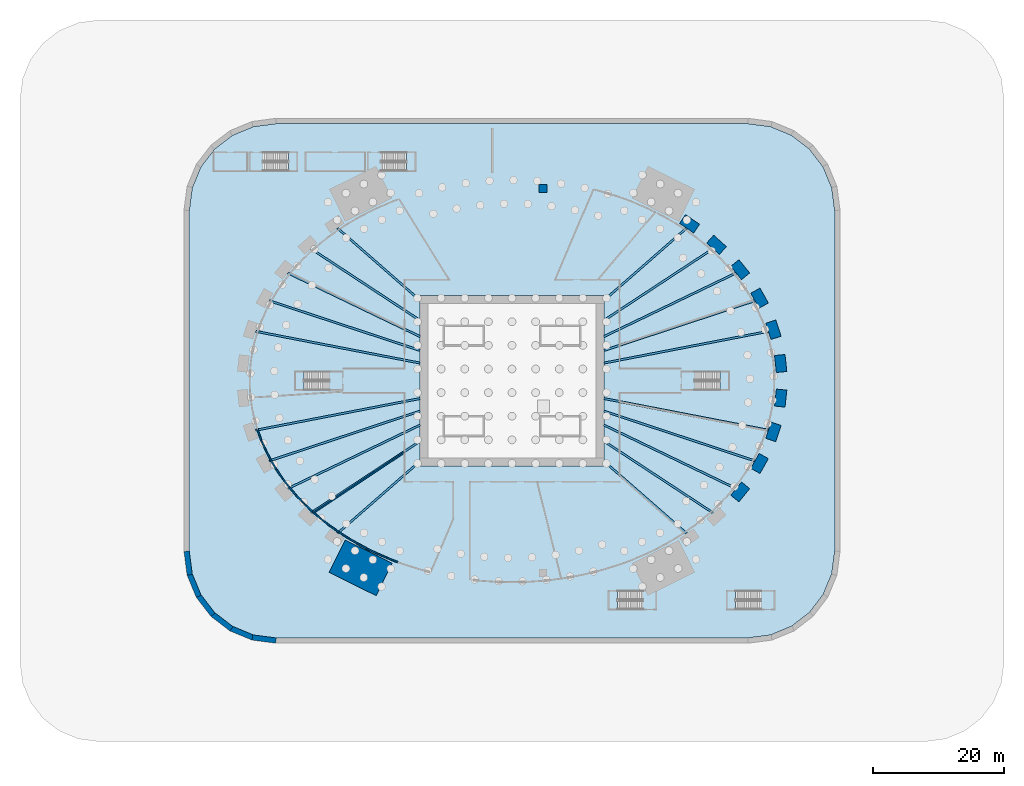
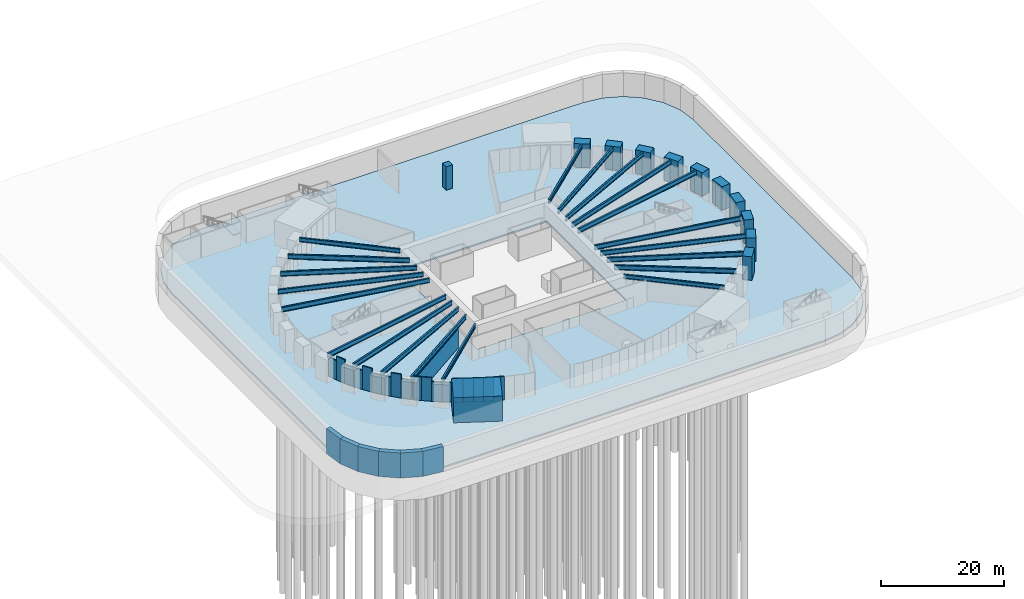
# One storey, part 2 of 14: 26 walls, 20 beams, 11 columns, 7 slabs, 6 elements without a shape of their own.
"""IFC4 building model written with IfcOpenShell, lengths in metres."""

from ifc_helpers import new_model, si_unit, direction, frame, frame_2d, origin, origin_2d, place, context, subcontext, project, spatial, polyline, rectangle, i_section, outline, extrude, source, transform, mapped, material, layer, layer_set, material_profile, profile_set, type_object, element, aggregate, save


model = new_model("IFC4")

# Units and contexts
model_context = context("Model", 3, precision=1e-05, world=origin(), true_north=direction((0.0, 1.0)))
body_context = subcontext(model_context, "Body", "Model", "MODEL_VIEW")
ifc_project = project(units=[si_unit("LENGTHUNIT", "METRE"), si_unit("AREAUNIT", "SQUARE_METRE"), si_unit("VOLUMEUNIT", "CUBIC_METRE"), si_unit("PLANEANGLEUNIT", "RADIAN"), si_unit("MASSUNIT", "GRAM", prefix="KILO")], contexts=[model_context])

# Site, building, storey
site_placement = place(None, origin())
site = spatial("IfcSite", under=ifc_project, at=site_placement, CompositionType="ELEMENT")
building_placement = place(site_placement, origin())
building = spatial("IfcBuilding", under=site, at=building_placement, Name="Embergate Tower", CompositionType="ELEMENT")
storey_placement = place(building_placement, frame((0.0, 0.0, -10.0)))
storey = spatial("IfcBuildingStorey", under=building, at=storey_placement, Name="B2", CompositionType="ELEMENT", Elevation=-10.0)

# Columns
ifc_material_1 = material(Name="Concrete C70", Category="concrete")
ifc_material_profile_1 = material_profile(ifc_material_1, rectangle(XDim=1.60009765625, YDim=2.60009765625, at=origin_2d()), Name="RC 1600x2600")
ifc_profile_set_1 = profile_set([ifc_material_profile_1], Name="Concrete C70")
column_type_1 = type_object("IfcColumnType", Name="Ring column RC 1600x2600 C70", PredefinedType="COLUMN", material=ifc_profile_set_1)
shared_shape_1 = source(origin(), body_context, "Body", "SweptSolid", [
    extrude(rectangle(XDim=1.60009765625, YDim=2.60009765625, at=origin_2d()), origin(), (0.0, 0.0, 1.0), 4.699951171875),
])
for number, where, z_axis, x_axis, name in (
    (1, (40.958984375, 2.636962890625, 0.0), (0.0, 0.0, 1.0), (0.99428589498, 0.106749983816, 0.0), "COL-B2-00"),
    (2, (39.85009765625, 7.7880859375, 0.0), (0.0, 0.0, 1.0), (0.950754033697, 0.309946394413, 0.0), "COL-B2-01"),
    (3, (37.738037109375, 12.60498046875, 0.0), (0.0, 0.0, 1.0), (0.873491969053, 0.486838556403, 0.0), "COL-B2-02"),
    (4, (34.7890625, 16.94189453125, 0.0), (0.0, 0.0, 1.0), (0.775925311702, 0.630824786022, 0.0), "COL-B2-03"),
    (5, (31.178955078125, 20.72802734375, 0.0), (0.0, 0.0, 1.0), (0.669208424634, 0.74307475021, 0.0), "COL-B2-04"),
    (6, (27.06494140625, 23.93896484375, 0.0), (0.0, 0.0, 1.0), (0.560393279442, 0.828226643109, 0.0), "COL-B2-05"),
    (7, (34.7890625, -16.94189453125, 0.0), (0.0, 0.0, 1.0), (0.775925311702, -0.630824786022, 0.0), "COL-B2-40"),
    (8, (37.738037109375, -12.60498046875, 0.0), (0.0, 0.0, 1.0), (0.873491969053, -0.486838556403, 0.0), "COL-B2-41"),
    (9, (39.85009765625, -7.7880859375, 0.0), (0.0, 0.0, 1.0), (0.950754033697, -0.309946394413, 0.0), "COL-B2-42"),
    (10, (40.958984375, -2.636962890625, 0.0), (0.0, 0.0, 1.0), (0.99428589498, -0.106749983816, 0.0), "COL-B2-43"),
):
    element("IfcColumn", number, at=place(storey_placement, frame(where, z_axis=z_axis, x_axis=x_axis)), inside=storey, type_object=column_type_1, Name=name, PredefinedType="COLUMN", context=body_context, shape_type="MappedRepresentation", body=[
        mapped(shared_shape_1, transform((0.0, 0.0, 0.0))),
    ])
ifc_material_2 = material(Name="Concrete C60", Category="concrete")
ifc_material_profile_2 = material_profile(ifc_material_2, rectangle(XDim=1.199951171875, YDim=1.199951171875, at=origin_2d()), Name="RC 1200x1200")
ifc_profile_set_2 = profile_set([ifc_material_profile_2], Name="Concrete C60")
column_type_2 = type_object("IfcColumnType", Name="Basement column RC 1200x1200 C60", PredefinedType="COLUMN", material=ifc_profile_set_2)
shared_shape_2 = source(origin(), body_context, "Body", "SweptSolid", [
    extrude(rectangle(XDim=1.199951171875, YDim=1.199951171875, at=origin_2d()), origin(), (0.0, 0.0, 1.0), 4.699951171875),
])
column_placement = place(storey_placement, frame((4.75, 29.300048828125, 0.0), z_axis=(0.0, 0.0, 1.0), x_axis=(1.0, 0.0, 0.0)))
element("IfcColumn", 11, at=column_placement, inside=storey, type_object=column_type_2, Name="BCL-B2-000", PredefinedType="COLUMN", context=body_context, shape_type="MappedRepresentation", body=[
    mapped(shared_shape_2, transform((0.0, 0.0, 0.0))),
])

# Beams
ifc_material_3 = material(Name="Steel Q355B", Category="steel")
ifc_material_profile_3 = material_profile(ifc_material_3, i_section(OverallWidth=0.300048828125, OverallDepth=0.89990234375, WebThickness=0.01611328125, FlangeThickness=0.028076171875, FilletRadius=0.028076171875, at=origin_2d()), Name="HN 900x300x16x28")
ifc_profile_set_3 = profile_set([ifc_material_profile_3], Name="Steel Q355 grade B")
beam_type_1 = type_object("IfcBeamType", Name="Basement girder HN 900x300x16x28", PredefinedType="BEAM", material=ifc_profile_set_3)
shared_shape_3 = source(origin(), body_context, "Body", "SweptSolid", [
    extrude(i_section(OverallWidth=0.300048828125, OverallDepth=0.89990234375, WebThickness=0.01611328125, FlangeThickness=0.028076171875, FilletRadius=0.028076171875, at=origin_2d()), origin(), (0.0, 0.0, 1.0), 25.5517578125),
])
for number, where, z_axis, x_axis, name in (
    (12, (39.089111328125, 7.5400390625, 4.25), (-0.981895532799, -0.189423236878, 0.0), (0.189423236878, -0.981895532799, 0.0), "GBF-B2-01"),
    (13, (-39.089111328125, 7.5400390625, 4.25), (0.981895532799, -0.189423236878, 0.0), (0.189423236878, 0.981895532799, 0.0), "GBF-B2-20"),
    (14, (-39.089111328125, -7.5400390625, 4.25), (0.981895532799, 0.189423236878, 0.0), (-0.189423236878, 0.981895532799, 0.0), "GBF-B2-23"),
    (15, (39.089111328125, -7.5400390625, 4.25), (-0.981895532799, 0.189423236878, 0.0), (-0.189423236878, -0.981895532799, 0.0), "GBF-B2-42"),
):
    element("IfcBeam", number, at=place(storey_placement, frame(where, z_axis=z_axis, x_axis=x_axis)), inside=storey, type_object=beam_type_1, Name=name, PredefinedType="BEAM", context=body_context, shape_type="MappedRepresentation", body=[
        mapped(shared_shape_3, transform((0.0, 0.0, 0.0))),
    ])
shared_shape_4 = source(origin(), body_context, "Body", "SweptSolid", [
    extrude(i_section(OverallWidth=0.300048828125, OverallDepth=0.89990234375, WebThickness=0.01611328125, FlangeThickness=0.028076171875, FilletRadius=0.028076171875, at=origin_2d()), origin(), (0.0, 0.0, 1.0), 24.260009765625),
])
for number, where, z_axis, x_axis, name in (
    (16, (37.0390625, 12.216064453125, 4.25), (-0.949674878896, -0.313237329185, 0.0), (0.313237329185, -0.949674878896, 0.0), "GBF-B2-02"),
    (17, (-37.0390625, 12.216064453125, 4.25), (0.949674878896, -0.313237329185, 0.0), (0.313237329185, 0.949674878896, 0.0), "GBF-B2-19"),
    (18, (-37.0390625, -12.216064453125, 4.25), (0.949674878896, 0.313237329185, 0.0), (-0.313237329185, 0.949674878896, 0.0), "GBF-B2-24"),
    (19, (37.0390625, -12.216064453125, 4.25), (-0.949674878896, 0.313237329185, 0.0), (-0.313237329185, -0.949674878896, 0.0), "GBF-B2-41"),
):
    element("IfcBeam", number, at=place(storey_placement, frame(where, z_axis=z_axis, x_axis=x_axis)), inside=storey, type_object=beam_type_1, Name=name, PredefinedType="BEAM", context=body_context, shape_type="MappedRepresentation", body=[
        mapped(shared_shape_4, transform((0.0, 0.0, 0.0))),
    ])
shared_shape_5 = source(origin(), body_context, "Body", "SweptSolid", [
    extrude(i_section(OverallWidth=0.300048828125, OverallDepth=0.89990234375, WebThickness=0.01611328125, FlangeThickness=0.028076171875, FilletRadius=0.028076171875, at=origin_2d()), origin(), (0.0, 0.0, 1.0), 22.380126953125),
])
for number, where, z_axis, x_axis, name in (
    (20, (34.16796875, 16.43701171875, 4.25), (-0.901151799667, -0.433503672368, 0.0), (0.433503672368, -0.901151799667, 0.0), "GBF-B2-03"),
    (21, (-34.16796875, 16.43701171875, 4.25), (0.901151799667, -0.433503672368, 0.0), (0.433503672368, 0.901151799667, 0.0), "GBF-B2-18"),
    (22, (-34.16796875, -16.43701171875, 4.25), (0.901151799667, 0.433503672368, 0.0), (-0.433503672368, 0.901151799667, 0.0), "GBF-B2-25"),
    (23, (34.16796875, -16.43701171875, 4.25), (-0.901151799667, 0.433503672368, 0.0), (-0.433503672368, -0.901151799667, 0.0), "GBF-B2-40"),
):
    element("IfcBeam", number, at=place(storey_placement, frame(where, z_axis=z_axis, x_axis=x_axis)), inside=storey, type_object=beam_type_1, Name=name, PredefinedType="BEAM", context=body_context, shape_type="MappedRepresentation", body=[
        mapped(shared_shape_5, transform((0.0, 0.0, 0.0))),
    ])
shared_shape_6 = source(origin(), body_context, "Body", "SweptSolid", [
    extrude(i_section(OverallWidth=0.300048828125, OverallDepth=0.89990234375, WebThickness=0.01611328125, FlangeThickness=0.028076171875, FilletRadius=0.028076171875, at=origin_2d()), origin(), (0.0, 0.0, 1.0), 19.915283203125),
])
for number, where, z_axis, x_axis, name in (
    (24, (30.64404296875, 20.134033203125, 4.25), (-0.835739557049, -0.549126026322, 0.0), (0.549126026322, -0.835739557049, 0.0), "GBF-B2-04"),
    (25, (-30.64404296875, 20.134033203125, 4.25), (0.835739557049, -0.549126026322, 0.0), (0.549126026322, 0.835739557049, 0.0), "GBF-B2-17"),
    (26, (-30.64404296875, -20.134033203125, 4.25), (0.835739557049, 0.549126026322, 0.0), (-0.549126026322, 0.835739557049, 0.0), "GBF-B2-26"),
    (27, (30.64404296875, -20.134033203125, 4.25), (-0.835739557049, 0.549126026322, 0.0), (-0.549126026322, -0.835739557049, 0.0), "GBF-B2-39"),
):
    element("IfcBeam", number, at=place(storey_placement, frame(where, z_axis=z_axis, x_axis=x_axis)), inside=storey, type_object=beam_type_1, Name=name, PredefinedType="BEAM", context=body_context, shape_type="MappedRepresentation", body=[
        mapped(shared_shape_6, transform((0.0, 0.0, 0.0))),
    ])
ifc_material_profile_4 = material_profile(ifc_material_3, i_section(OverallWidth=0.300048828125, OverallDepth=0.800048828125, WebThickness=0.013916015625, FlangeThickness=0.02587890625, FilletRadius=0.028076171875, at=origin_2d()), Name="HN 800x300x14x26")
ifc_profile_set_4 = profile_set([ifc_material_profile_4], Name="Steel Q355 grade B")
beam_type_2 = type_object("IfcBeamType", Name="Basement girder HN 800x300x14x26", PredefinedType="BEAM", material=ifc_profile_set_4)
shared_shape_7 = source(origin(), body_context, "Body", "SweptSolid", [
    extrude(i_section(OverallWidth=0.300048828125, OverallDepth=0.800048828125, WebThickness=0.013916015625, FlangeThickness=0.02587890625, FilletRadius=0.028076171875, at=origin_2d()), origin(), (0.0, 0.0, 1.0), 16.760498046875),
])
for number, where, z_axis, x_axis, name in (
    (28, (26.616943359375, 23.27587890625, 4.300048828125), (-0.752779686922, -0.658272544587, 0.0), (0.658272544587, -0.752779686922, 0.0), "GBF-B2-05"),
    (29, (-26.616943359375, 23.27587890625, 4.300048828125), (0.752779686922, -0.658272544587, 0.0), (0.658272544587, 0.752779686922, 0.0), "GBF-B2-16"),
    (30, (-26.616943359375, -23.27587890625, 4.300048828125), (0.752779686922, 0.658272544587, 0.0), (-0.658272544587, 0.752779686922, 0.0), "GBF-B2-27"),
    (31, (26.616943359375, -23.27587890625, 4.300048828125), (-0.752779686922, 0.658272544587, 0.0), (-0.658272544587, -0.752779686922, 0.0), "GBF-B2-38"),
):
    element("IfcBeam", number, at=place(storey_placement, frame(where, z_axis=z_axis, x_axis=x_axis)), inside=storey, type_object=beam_type_2, Name=name, PredefinedType="BEAM", context=body_context, shape_type="MappedRepresentation", body=[
        mapped(shared_shape_7, transform((0.0, 0.0, 0.0))),
    ])

# Slab
ifc_material_4 = material(Name="Concrete C40", Category="concrete")
ifc_layer_1 = layer(ifc_material_4, 0.300048828125)
ifc_layer_set_1 = layer_set([ifc_layer_1], Name="Concrete C40")
slab_type_1 = type_object("IfcSlabType", Name="Floor on raft C40 300", PredefinedType="BASESLAB", material=ifc_layer_set_1)
shared_shape_8 = source(origin(), body_context, "Body", "SweptSolid", [
    extrude(outline(polyline([(0.0, 0.0), (71.89599609375, 0.0), (75.362060546875, 0.4560546875), (78.5439453125, 1.77490234375), (81.27587890625, 3.8720703125), (83.373046875, 6.60400390625), (84.69189453125, 9.785888671875), (85.14794921875, 13.251953125), (85.14794921875, 65.14794921875), (84.69189453125, 68.614013671875), (83.373046875, 71.7958984375), (81.27587890625, 74.52783203125), (78.5439453125, 76.625), (75.362060546875, 77.94384765625), (71.89599609375, 78.39990234375), (0.0, 78.39990234375), (-3.466064453125, 77.94384765625), (-6.64794921875, 76.625), (-9.3798828125, 74.52783203125), (-11.47705078125, 71.7958984375), (-12.7958984375, 68.614013671875), (-13.251953125, 65.14794921875), (-13.251953125, 13.251953125), (-12.7958984375, 9.785888671875), (-11.47705078125, 6.60400390625), (-9.3798828125, 3.8720703125), (-6.64794921875, 1.77490234375), (-3.466064453125, 0.4560546875), (0.0, 0.0)]), holes=[polyline([(21.947998046875, 26.199951171875), (21.947998046875, 52.199951171875), (49.947998046875, 52.199951171875), (49.947998046875, 26.199951171875), (21.947998046875, 26.199951171875)])]), origin(), (0.0, 0.0, 1.0), 0.300048828125),
])
slab_1_placement = place(storey_placement, frame((-35.947998046875, -39.199951171875, -0.300048828125)))
element("IfcSlab", 32, at=slab_1_placement, inside=storey, type_object=slab_type_1, Name="SLB-B2-00", PredefinedType="BASESLAB", context=body_context, shape_type="MappedRepresentation", body=[
    mapped(shared_shape_8, transform((0.0, 0.0, 0.0))),
])

# Stair, slab
stair_type = type_object("IfcStairType", Name="Exit stair RC", PredefinedType="HALF_TURN_STAIR", material=ifc_material_4)
stair_1_placement = place(storey_placement, origin())
stair_1 = element("IfcStair", 33, at=stair_1_placement, inside=storey, type_object=stair_type, Name="B2 Basement exit stair S1", PredefinedType="HALF_TURN_STAIR")
ifc_layer_2 = layer(ifc_material_4, 0.199951171875)
ifc_layer_set_2 = layer_set([ifc_layer_2], Name="Concrete C40")
slab_type_2 = type_object("IfcSlabType", Name="Exit stair landing RC", PredefinedType="LANDING", material=ifc_layer_set_2)
shared_shape_9 = source(origin(), body_context, "Body", "SweptSolid", [
    extrude(outline(polyline([(0.0, 0.0), (1.35009765625, 0.0), (1.35009765625, 2.85009765625), (0.0, 2.85009765625), (0.0, 0.0)])), origin(), (0.0, 0.0, 1.0), 0.199951171875),
])
slab_2_placement = place(storey_placement, frame((-16.080078125, 32.0, 2.300048828125)))
slab_2 = element("IfcSlab", 34, at=slab_2_placement, type_object=slab_type_2, Name="XS1 landing 1", PredefinedType="LANDING", context=body_context, shape_type="MappedRepresentation", body=[
    mapped(shared_shape_9, transform((0.0, 0.0, 0.0))),
])
aggregate(stair_1, [slab_2])

stair_2_placement = place(storey_placement, origin())
stair_2 = element("IfcStair", 35, at=stair_2_placement, inside=storey, type_object=stair_type, Name="B2 Basement exit stair S2", PredefinedType="HALF_TURN_STAIR")
slab_3_placement = place(storey_placement, frame((-34.080078125, 32.0, 2.300048828125)))
slab_3 = element("IfcSlab", 36, at=slab_3_placement, type_object=slab_type_2, Name="XS2 landing 1", PredefinedType="LANDING", context=body_context, shape_type="MappedRepresentation", body=[
    mapped(shared_shape_9, transform((0.0, 0.0, 0.0))),
])
aggregate(stair_2, [slab_3])

stair_3_placement = place(storey_placement, origin())
stair_3 = element("IfcStair", 37, at=stair_3_placement, inside=storey, type_object=stair_type, Name="B2 Basement exit stair S3", PredefinedType="HALF_TURN_STAIR")
slab_4_placement = place(storey_placement, frame((14.72998046875, -34.85009765625, 2.300048828125)))
slab_4 = element("IfcSlab", 38, at=slab_4_placement, type_object=slab_type_2, Name="XS3 landing 1", PredefinedType="LANDING", context=body_context, shape_type="MappedRepresentation", body=[
    mapped(shared_shape_9, transform((0.0, 0.0, 0.0))),
])
aggregate(stair_3, [slab_4])

stair_4_placement = place(storey_placement, origin())
stair_4 = element("IfcStair", 39, at=stair_4_placement, inside=storey, type_object=stair_type, Name="B2 Basement exit stair S4", PredefinedType="HALF_TURN_STAIR")
slab_5_placement = place(storey_placement, frame((32.72998046875, -34.85009765625, 2.300048828125)))
slab_5 = element("IfcSlab", 40, at=slab_5_placement, type_object=slab_type_2, Name="XS4 landing 1", PredefinedType="LANDING", context=body_context, shape_type="MappedRepresentation", body=[
    mapped(shared_shape_9, transform((0.0, 0.0, 0.0))),
])
aggregate(stair_4, [slab_5])

stair_5_placement = place(storey_placement, origin())
stair_5 = element("IfcStair", 41, at=stair_5_placement, inside=storey, type_object=stair_type, Name="B2 Basement exit stair E1", PredefinedType="HALF_TURN_STAIR")
slab_6_placement = place(storey_placement, frame((31.719970703125, -1.425048828125, 2.300048828125)))
slab_6 = element("IfcSlab", 42, at=slab_6_placement, type_object=slab_type_2, Name="XE1 landing 1", PredefinedType="LANDING", context=body_context, shape_type="MappedRepresentation", body=[
    mapped(shared_shape_9, transform((0.0, 0.0, 0.0))),
])
aggregate(stair_5, [slab_6])

stair_6_placement = place(storey_placement, origin())
stair_6 = element("IfcStair", 43, at=stair_6_placement, inside=storey, type_object=stair_type, Name="B2 Basement exit stair W1", PredefinedType="HALF_TURN_STAIR")
slab_7_placement = place(storey_placement, frame((-33.070068359375, -1.425048828125, 2.300048828125)))
slab_7 = element("IfcSlab", 44, at=slab_7_placement, type_object=slab_type_2, Name="XW1 landing 1", PredefinedType="LANDING", context=body_context, shape_type="MappedRepresentation", body=[
    mapped(shared_shape_9, transform((0.0, 0.0, 0.0))),
])
aggregate(stair_6, [slab_7])

# Walls
ifc_layer_3 = layer(ifc_material_4, 0.800048828125)
ifc_layer_set_3 = layer_set([ifc_layer_3], Name="Concrete C40")
wall_type_1 = type_object("IfcWallType", Name="Basement retaining wall C40 800", PredefinedType="SOLIDWALL", material=ifc_layer_set_3)
shared_shape_10 = source(origin(), body_context, "Body", "SweptSolid", [
    extrude(rectangle(XDim=3.62890625, YDim=0.800048828125, at=frame_2d((1.814453125, 0.0))), origin(), (0.0, 0.0, 1.0), 5.0),
])
for number, where, z_axis, x_axis, name in (
    (45, (-49.60302734375, -25.97412109375, -0.300048828125), (0.0, 0.0, 1.0), (0.130383159045, -0.991463681552, 0.0), "RWL-B2-014"),
    (46, (-39.572021484375, -39.1298828125, -0.300048828125), (0.0, 0.0, 1.0), (0.991463681552, -0.130383159045, 0.0), "RWL-B2-019"),
):
    element("IfcWall", number, at=place(storey_placement, frame(where, z_axis=z_axis, x_axis=x_axis)), inside=storey, type_object=wall_type_1, Name=name, PredefinedType="SOLIDWALL", context=body_context, shape_type="MappedRepresentation", body=[
        mapped(shared_shape_10, transform((0.0, 0.0, 0.0))),
    ])
shared_shape_11 = source(origin(), body_context, "Body", "SweptSolid", [
    extrude(rectangle(XDim=3.65625, YDim=0.800048828125, at=frame_2d((1.828125, 0.0))), origin(), (0.0, 0.0, 1.0), 5.0),
])
for number, where, z_axis, x_axis, name in (
    (47, (-49.156982421875, -29.470947265625, -0.300048828125), (0.0, 0.0, 1.0), (0.382599476739, -0.923914303601, 0.0), "RWL-B2-015"),
    (48, (-42.84912109375, -37.758056640625, -0.300048828125), (0.0, 0.0, 1.0), (0.923914303601, -0.382599476739, 0.0), "RWL-B2-018"),
):
    element("IfcWall", number, at=place(storey_placement, frame(where, z_axis=z_axis, x_axis=x_axis)), inside=storey, type_object=wall_type_1, Name=name, PredefinedType="SOLIDWALL", context=body_context, shape_type="MappedRepresentation", body=[
        mapped(shared_shape_11, transform((0.0, 0.0, 0.0))),
    ])
shared_shape_12 = source(origin(), body_context, "Body", "SweptSolid", [
    extrude(rectangle(XDim=3.656005859375, YDim=0.800048828125, at=frame_2d((1.828125, 0.0))), origin(), (0.0, 0.0, 1.0), 5.0),
])
for number, where, z_axis, x_axis, name in (
    (49, (-47.81005859375, -32.758056640625, -0.300048828125), (0.0, 0.0, 1.0), (0.608619384994, -0.793462314297, 0.0), "RWL-B2-016"),
    (50, (-45.658935546875, -35.5849609375, -0.300048828125), (0.0, 0.0, 1.0), (0.793462314297, -0.608619384994, 0.0), "RWL-B2-017"),
):
    element("IfcWall", number, at=place(storey_placement, frame(where, z_axis=z_axis, x_axis=x_axis)), inside=storey, type_object=wall_type_1, Name=name, PredefinedType="SOLIDWALL", context=body_context, shape_type="MappedRepresentation", body=[
        mapped(shared_shape_12, transform((0.0, 0.0, 0.0))),
    ])
ifc_layer_4 = layer(ifc_material_1, 5.5)
ifc_layer_set_4 = layer_set([ifc_layer_4], Name="Concrete C70")
wall_type_2 = type_object("IfcWallType", Name="Abutment pier wall RC 5500x8000", PredefinedType="SHEAR", material=ifc_layer_set_4)
shared_shape_13 = source(origin(), body_context, "Body", "SweptSolid", [
    extrude(rectangle(XDim=8.000732421875, YDim=5.5, at=frame_2d((4.00048828125, 0.0))), origin(), (0.0, 0.0, 1.0), 5.300048828125),
])
wall_1_placement = place(storey_placement, frame((-26.659912109375, -26.72998046875, -0.300048828125), z_axis=(0.0, 0.0, 1.0), x_axis=(0.895668726524, -0.444721859511, 0.0)))
element("IfcWall", 51, at=wall_1_placement, inside=storey, type_object=wall_type_2, Name="PIER-B2-28", PredefinedType="SHEAR", context=body_context, shape_type="MappedRepresentation", body=[
    mapped(shared_shape_13, transform((0.0, 0.0, 0.0))),
])
ifc_material_5 = material(Name="Blockwork, plastered", Category="masonry")
ifc_layer_5 = layer(ifc_material_5, 0.199951171875)
ifc_layer_set_5 = layer_set([ifc_layer_5], Name="Blockwork, plastered")
wall_type_3 = type_object("IfcWallType", Name="Fire partition wall 200 block", PredefinedType="PARTITIONING", material=ifc_layer_set_5)
shared_shape_14 = source(origin(), body_context, "Body", "SweptSolid", [
    extrude(rectangle(XDim=1.66650390625, YDim=0.199951171875, at=frame_2d((0.833251953125, 0.0))), origin(), (0.0, 0.0, 1.0), 3.800048828125),
])
wall_2_placement = place(storey_placement, frame((-38.236083984375, -9.013916015625, 0.0), z_axis=(0.0, 0.0, 1.0), x_axis=(-0.340731348686, 0.940160703296, 0.0)))
element("IfcWall", 52, at=wall_2_placement, inside=storey, type_object=wall_type_3, Name="Partition 016", PredefinedType="PARTITIONING", context=body_context, shape_type="MappedRepresentation", body=[
    mapped(shared_shape_14, transform((0.0, 0.0, 0.0))),
])
shared_shape_15 = source(origin(), body_context, "Body", "SweptSolid", [
    extrude(rectangle(XDim=1.68408203125, YDim=0.199951171875, at=frame_2d((0.842041015625, 0.0))), origin(), (0.0, 0.0, 1.0), 4.699951171875),
])
wall_3_placement = place(storey_placement, frame((-37.55908203125, -10.555908203125, 0.0), z_axis=(0.0, 0.0, 1.0), x_axis=(-0.402004884465, 0.91563752264, 0.0)))
element("IfcWall", 53, at=wall_3_placement, inside=storey, type_object=wall_type_3, Name="Partition 018", PredefinedType="PARTITIONING", context=body_context, shape_type="MappedRepresentation", body=[
    mapped(shared_shape_15, transform((0.0, 0.0, 0.0))),
])
shared_shape_16 = source(origin(), body_context, "Body", "SweptSolid", [
    extrude(rectangle(XDim=1.703369140625, YDim=0.199951171875, at=frame_2d((0.8515625, 0.0))), origin(), (0.0, 0.0, 1.0), 3.800048828125),
])
wall_4_placement = place(storey_placement, frame((-36.777099609375, -12.069091796875, 0.0), z_axis=(0.0, 0.0, 1.0), x_axis=(-0.459099243657, 0.888384986632, 0.0)))
element("IfcWall", 54, at=wall_4_placement, inside=storey, type_object=wall_type_3, Name="Partition 020", PredefinedType="PARTITIONING", context=body_context, shape_type="MappedRepresentation", body=[
    mapped(shared_shape_16, transform((0.0, 0.0, 0.0))),
])
shared_shape_17 = source(origin(), body_context, "Body", "SweptSolid", [
    extrude(rectangle(XDim=1.664306640625, YDim=0.199951171875, at=frame_2d((0.83203125, 0.0))), origin(), (0.0, 0.0, 1.0), 3.800048828125),
])
wall_5_placement = place(storey_placement, frame((-35.924072265625, -13.498046875, 0.0), z_axis=(0.0, 0.0, 1.0), x_axis=(-0.512574404265, 0.858642812869, 0.0)))
element("IfcWall", 55, at=wall_5_placement, inside=storey, type_object=wall_type_3, Name="Partition 022", PredefinedType="PARTITIONING", context=body_context, shape_type="MappedRepresentation", body=[
    mapped(shared_shape_17, transform((0.0, 0.0, 0.0))),
])
shared_shape_18 = source(origin(), body_context, "Body", "SweptSolid", [
    extrude(rectangle(XDim=1.686767578125, YDim=0.199951171875, at=frame_2d((0.84326171875, 0.0))), origin(), (0.0, 0.0, 1.0), 4.699951171875),
])
wall_6_placement = place(storey_placement, frame((-34.97607421875, -14.89306640625, 0.0), z_axis=(0.0, 0.0, 1.0), x_axis=(-0.562060565022, 0.827096077398, 0.0)))
element("IfcWall", 56, at=wall_6_placement, inside=storey, type_object=wall_type_3, Name="Partition 024", PredefinedType="PARTITIONING", context=body_context, shape_type="MappedRepresentation", body=[
    mapped(shared_shape_18, transform((0.0, 0.0, 0.0))),
])
shared_shape_19 = source(origin(), body_context, "Body", "SweptSolid", [
    extrude(rectangle(XDim=1.7080078125, YDim=0.199951171875, at=frame_2d((0.85400390625, 0.0))), origin(), (0.0, 0.0, 1.0), 3.800048828125),
])
wall_7_placement = place(storey_placement, frame((-33.93603515625, -16.248046875, 0.0), z_axis=(0.0, 0.0, 1.0), x_axis=(-0.608881540083, 0.793261161375, 0.0)))
element("IfcWall", 57, at=wall_7_placement, inside=storey, type_object=wall_type_3, Name="Partition 026", PredefinedType="PARTITIONING", context=body_context, shape_type="MappedRepresentation", body=[
    mapped(shared_shape_19, transform((0.0, 0.0, 0.0))),
])
shared_shape_20 = source(origin(), body_context, "Body", "SweptSolid", [
    extrude(rectangle(XDim=1.665771484375, YDim=0.199951171875, at=frame_2d((0.8330078125, 0.0))), origin(), (0.0, 0.0, 1.0), 3.800048828125),
])
wall_8_placement = place(storey_placement, frame((-32.85107421875, -17.511962890625, 0.0), z_axis=(0.0, 0.0, 1.0), x_axis=(-0.651346432012, 0.758780485717, 0.0)))
element("IfcWall", 58, at=wall_8_placement, inside=storey, type_object=wall_type_3, Name="Partition 030", PredefinedType="PARTITIONING", context=body_context, shape_type="MappedRepresentation", body=[
    mapped(shared_shape_20, transform((0.0, 0.0, 0.0))),
])
shared_shape_21 = source(origin(), body_context, "Body", "SweptSolid", [
    extrude(rectangle(XDim=1.68896484375, YDim=0.199951171875, at=frame_2d((0.844482421875, 0.0))), origin(), (0.0, 0.0, 1.0), 4.699951171875),
])
wall_9_placement = place(storey_placement, frame((-31.68505859375, -18.73388671875, 0.0), z_axis=(0.0, 0.0, 1.0), x_axis=(-0.690362287373, 0.723463829209, 0.0)))
element("IfcWall", 59, at=wall_9_placement, inside=storey, type_object=wall_type_3, Name="Partition 035", PredefinedType="PARTITIONING", context=body_context, shape_type="MappedRepresentation", body=[
    mapped(shared_shape_21, transform((0.0, 0.0, 0.0))),
])
shared_shape_22 = source(origin(), body_context, "Body", "SweptSolid", [
    extrude(rectangle(XDim=1.711181640625, YDim=0.199951171875, at=frame_2d((0.85546875, 0.0))), origin(), (0.0, 0.0, 1.0), 3.800048828125),
])
wall_10_placement = place(storey_placement, frame((-30.443115234375, -19.910888671875, 0.0), z_axis=(0.0, 0.0, 1.0), x_axis=(-0.725828944037, 0.687875238687, 0.0)))
element("IfcWall", 60, at=wall_10_placement, inside=storey, type_object=wall_type_3, Name="Partition 038", PredefinedType="PARTITIONING", context=body_context, shape_type="MappedRepresentation", body=[
    mapped(shared_shape_22, transform((0.0, 0.0, 0.0))),
])
shared_shape_23 = source(origin(), body_context, "Body", "SweptSolid", [
    extrude(rectangle(XDim=1.27001953125, YDim=0.199951171875, at=frame_2d((0.635009765625, 0.0))), origin(), (0.0, 0.0, 1.0), 4.699951171875),
])
wall_11_placement = place(storey_placement, frame((-29.176025390625, -20.998046875, 0.0), z_axis=(0.0, 0.0, 1.0), x_axis=(-0.758876559821, 0.651234494598, 0.0)))
element("IfcWall", 61, at=wall_11_placement, inside=storey, type_object=wall_type_3, Name="Partition 040", PredefinedType="PARTITIONING", context=body_context, shape_type="MappedRepresentation", body=[
    mapped(shared_shape_23, transform((0.0, 0.0, 0.0))),
])
shared_shape_24 = source(origin(), body_context, "Body", "SweptSolid", [
    extrude(rectangle(XDim=1.68994140625, YDim=0.199951171875, at=frame_2d((0.844970703125, 0.0))), origin(), (0.0, 0.0, 1.0), 4.699951171875),
])
wall_12_placement = place(storey_placement, frame((-27.843994140625, -22.0380859375, 0.0), z_axis=(0.0, 0.0, 1.0), x_axis=(-0.788199556762, 0.6154197419, 0.0)))
element("IfcWall", 62, at=wall_12_placement, inside=storey, type_object=wall_type_3, Name="Partition 042", PredefinedType="PARTITIONING", context=body_context, shape_type="MappedRepresentation", body=[
    mapped(shared_shape_24, transform((0.0, 0.0, 0.0))),
])
shared_shape_25 = source(origin(), body_context, "Body", "SweptSolid", [
    extrude(rectangle(XDim=1.71142578125, YDim=0.199951171875, at=frame_2d((0.855712890625, 0.0))), origin(), (0.0, 0.0, 1.0), 3.89990234375),
])
wall_13_placement = place(storey_placement, frame((-26.447998046875, -23.028076171875, 0.0), z_axis=(0.0, 0.0, 1.0), x_axis=(-0.81570474183, 0.578468472914, 0.0)))
element("IfcWall", 63, at=wall_13_placement, inside=storey, type_object=wall_type_3, Name="Partition 044", PredefinedType="PARTITIONING", context=body_context, shape_type="MappedRepresentation", body=[
    mapped(shared_shape_25, transform((0.0, 0.0, 0.0))),
])
shared_shape_26 = source(origin(), body_context, "Body", "SweptSolid", [
    extrude(rectangle(XDim=1.6728515625, YDim=0.199951171875, at=frame_2d((0.83642578125, 0.0))), origin(), (0.0, 0.0, 1.0), 3.89990234375),
])
wall_14_placement = place(storey_placement, frame((-25.04296875, -23.93603515625, 0.0), z_axis=(0.0, 0.0, 1.0), x_axis=(-0.83989108096, 0.542754983508, 0.0)))
element("IfcWall", 64, at=wall_14_placement, inside=storey, type_object=wall_type_3, Name="Partition 050", PredefinedType="PARTITIONING", context=body_context, shape_type="MappedRepresentation", body=[
    mapped(shared_shape_26, transform((0.0, 0.0, 0.0))),
])
shared_shape_27 = source(origin(), body_context, "Body", "SweptSolid", [
    extrude(rectangle(XDim=1.691162109375, YDim=0.199951171875, at=frame_2d((0.845703125, 0.0))), origin(), (0.0, 0.0, 1.0), 4.699951171875),
])
wall_15_placement = place(storey_placement, frame((-23.5849609375, -24.79296875, 0.0), z_axis=(0.0, 0.0, 1.0), x_axis=(-0.862119710522, 0.506704652366, 0.0)))
element("IfcWall", 65, at=wall_15_placement, inside=storey, type_object=wall_type_3, Name="Partition 052", PredefinedType="PARTITIONING", context=body_context, shape_type="MappedRepresentation", body=[
    mapped(shared_shape_27, transform((0.0, 0.0, 0.0))),
])
shared_shape_28 = source(origin(), body_context, "Body", "SweptSolid", [
    extrude(rectangle(XDim=1.7109375, YDim=0.199951171875, at=frame_2d((0.85546875, 0.0))), origin(), (0.0, 0.0, 1.0), 4.699951171875),
])
wall_16_placement = place(storey_placement, frame((-22.075927734375, -25.59912109375, 0.0), z_axis=(0.0, 0.0, 1.0), x_axis=(-0.882028817925, 0.471195462998, 0.0)))
element("IfcWall", 66, at=wall_16_placement, inside=storey, type_object=wall_type_3, Name="Partition 057", PredefinedType="PARTITIONING", context=body_context, shape_type="MappedRepresentation", body=[
    mapped(shared_shape_28, transform((0.0, 0.0, 0.0))),
])
shared_shape_29 = source(origin(), body_context, "Body", "SweptSolid", [
    extrude(rectangle(XDim=1.67724609375, YDim=0.199951171875, at=frame_2d((0.838623046875, 0.0))), origin(), (0.0, 0.0, 1.0), 4.699951171875),
])
wall_17_placement = place(storey_placement, frame((-20.56591796875, -26.3291015625, 0.0), z_axis=(0.0, 0.0, 1.0), x_axis=(-0.900315681162, 0.435237491783, 0.0)))
element("IfcWall", 67, at=wall_17_placement, inside=storey, type_object=wall_type_3, Name="Partition 060", PredefinedType="PARTITIONING", context=body_context, shape_type="MappedRepresentation", body=[
    mapped(shared_shape_29, transform((0.0, 0.0, 0.0))),
])
shared_shape_30 = source(origin(), body_context, "Body", "SweptSolid", [
    extrude(rectangle(XDim=1.693115234375, YDim=0.199951171875, at=frame_2d((0.8466796875, 0.0))), origin(), (0.0, 0.0, 1.0), 4.699951171875),
])
wall_18_placement = place(storey_placement, frame((-19.014892578125, -27.008056640625, 0.0), z_axis=(0.0, 0.0, 1.0), x_axis=(-0.91607458021, 0.401007934451, 0.0)))
element("IfcWall", 68, at=wall_18_placement, inside=storey, type_object=wall_type_3, Name="Partition 062", PredefinedType="PARTITIONING", context=body_context, shape_type="MappedRepresentation", body=[
    mapped(shared_shape_30, transform((0.0, 0.0, 0.0))),
])
shared_shape_31 = source(origin(), body_context, "Body", "SweptSolid", [
    extrude(rectangle(XDim=1.70703125, YDim=0.199951171875, at=frame_2d((0.853515625, 0.0))), origin(), (0.0, 0.0, 1.0), 4.699951171875),
])
wall_19_placement = place(storey_placement, frame((-17.426025390625, -27.632080078125, 0.0), z_axis=(0.0, 0.0, 1.0), x_axis=(-0.930786256978, 0.365563871056, 0.0)))
element("IfcWall", 69, at=wall_19_placement, inside=storey, type_object=wall_type_3, Name="Partition 064", PredefinedType="PARTITIONING", context=body_context, shape_type="MappedRepresentation", body=[
    mapped(shared_shape_31, transform((0.0, 0.0, 0.0))),
])
shared_shape_32 = source(origin(), body_context, "Body", "SweptSolid", [
    extrude(rectangle(XDim=16.607421875, YDim=0.199951171875, at=frame_2d((8.3037109375, 0.0))), origin(), (0.0, 0.0, 1.0), 3.800048828125),
])
wall_20_placement = place(storey_placement, frame((-16.48291015625, -10.955078125, 0.0), z_axis=(0.0, 0.0, 1.0), x_axis=(-0.832822967395, -0.553539433988, 0.0)))
element("IfcWall", 70, at=wall_20_placement, inside=storey, type_object=wall_type_3, Name="Partition 067", PredefinedType="PARTITIONING", context=body_context, shape_type="MappedRepresentation", body=[
    mapped(shared_shape_32, transform((0.0, 0.0, 0.0))),
])

save(model, "model.ifc")
